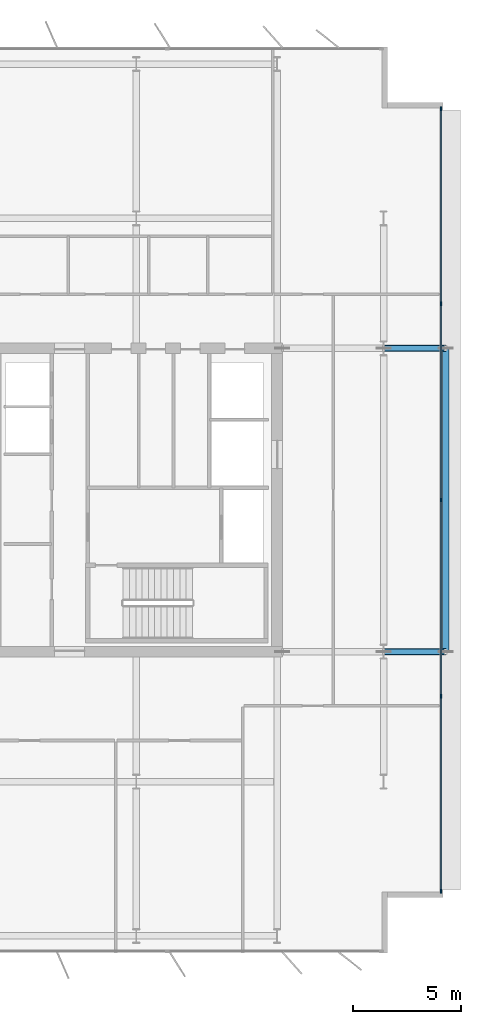
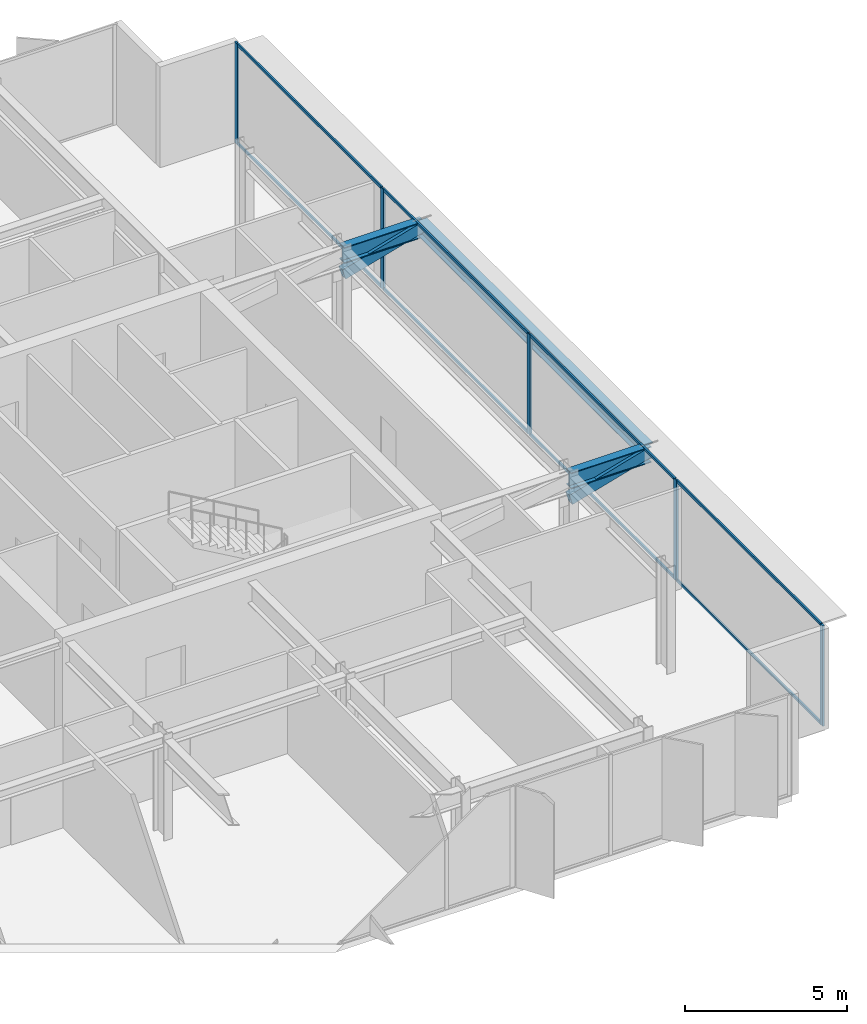
# One storey, part 10 of 20: 15 members, 3 beams, 1 element without a shape of its own.
"""IFC4 building model written with IfcOpenShell, lengths in metres."""

from ifc_helpers import new_model, si_unit, direction, frame, origin, origin_2d, place, context, subcontext, project, spatial, rectangle, hollow_rectangle, i_section, extrude, material, layer, layer_set, material_profile, profile_set, type_object, element, aggregate, save


model = new_model("IFC4")

# Units and contexts
model_context = context("Model", 3, precision=1e-05, world=origin(), true_north=direction((0.0, 1.0)))
body_context = subcontext(model_context, "Body", "Model", "MODEL_VIEW")
ifc_project = project(units=[si_unit("LENGTHUNIT", "METRE"), si_unit("AREAUNIT", "SQUARE_METRE"), si_unit("VOLUMEUNIT", "CUBIC_METRE"), si_unit("PLANEANGLEUNIT", "RADIAN"), si_unit("MASSUNIT", "GRAM", prefix="KILO")], contexts=[model_context])

# Site, building, storey
site_placement = place(None, origin())
site = spatial("IfcSite", under=ifc_project, at=site_placement, CompositionType="ELEMENT")
building_placement = place(site_placement, origin())
building = spatial("IfcBuilding", under=site, at=building_placement, Name="Putna Gate Headquarters", CompositionType="ELEMENT")
storey_placement = place(building_placement, frame((0.0, 0.0, 282.39990234375)))
storey = spatial("IfcBuildingStorey", under=building, at=storey_placement, Name="L71", CompositionType="ELEMENT", Elevation=282.39990234375)

# Beams
ifc_material_1 = material(Name="Steel S355J2", Category="steel")
ifc_material_profile_1 = material_profile(ifc_material_1, i_section(OverallWidth=0.300048828125, OverallDepth=0.60009765625, WebThickness=0.015380859375, FlangeThickness=0.030029296875, at=origin_2d()), Name="Steel S355J2")
ifc_profile_set_1 = profile_set([ifc_material_profile_1], Name="Steel S355J2")
beam_type_1 = type_object("IfcBeamType", Name="BM-GIRD-SAIL-HEB600", PredefinedType="USERDEFINED", material=ifc_profile_set_1)
for number, where, z_axis, x_axis, name in (
    (1, (69.926025390625, 19.0, 3.488037109375), (1.0, 0.0, 0.0), (0.0, 1.0, 0.0), "L71 East Sail Outrigger Bracket Y19"),
    (2, (69.926025390625, 33.0, 3.488037109375), (1.0, 0.0, 0.0), (0.0, 1.0, 0.0), "L71 East Sail Outrigger Bracket Y33"),
):
    element("IfcBeam", number, at=place(storey_placement, frame(where, z_axis=z_axis, x_axis=x_axis)), inside=storey, type_object=beam_type_1, Name=name, ObjectType="GIRDER", PredefinedType="USERDEFINED", context=body_context, shape_type="SweptSolid", body=[
        extrude(i_section(OverallWidth=0.300048828125, OverallDepth=0.60009765625, WebThickness=0.015380859375, FlangeThickness=0.030029296875, at=origin_2d()), origin(), (0.0, 0.0, 1.0), 2.859130859375),
    ])
ifc_material_profile_2 = material_profile(ifc_material_1, i_section(OverallWidth=0.300048828125, OverallDepth=0.590087890625, WebThickness=0.012939453125, FlangeThickness=0.02490234375, at=origin_2d()), Name="Steel S355J2")
ifc_profile_set_2 = profile_set([ifc_material_profile_2], Name="Steel S355J2")
beam_type_2 = type_object("IfcBeamType", Name="BM-SPAN-Z4-HEA600", PredefinedType="SPANDREL", material=ifc_profile_set_2)
beam_placement = place(storey_placement, frame((72.78515625, 19.02001953125, 3.4931640625), z_axis=(0.0, 1.0, 0.0), x_axis=(-1.0, 0.0, 0.0)))
element("IfcBeam", 3, at=beam_placement, inside=storey, type_object=beam_type_2, Name="L71 East Sail Edge Spandrel", PredefinedType="SPANDREL", context=body_context, shape_type="SweptSolid", body=[
    extrude(i_section(OverallWidth=0.300048828125, OverallDepth=0.590087890625, WebThickness=0.012939453125, FlangeThickness=0.02490234375, at=origin_2d()), origin(), (0.0, 0.0, 1.0), 13.9599609375),
])

# Members
ifc_material_2 = material(Name="Steel S460M", Category="steel")
ifc_material_profile_3 = material_profile(ifc_material_2, hollow_rectangle(XDim=0.25, YDim=0.39990234375, WallThickness=0.01611328125, at=origin_2d()), Name="Steel S460M")
ifc_profile_set_3 = profile_set([ifc_material_profile_3], Name="Steel S460M")
member_type_1 = type_object("IfcMemberType", Name="MEM-SAIL-BRACE-RHS400", PredefinedType="BRACE", material=ifc_profile_set_3)
for number, where, z_axis, x_axis, name in (
    (4, (69.934326171875, 19.0, 2.755615234375), (0.961457993667, 0.0, 0.274951861994), (0.0, 1.0, 0.0), "L71 East Sail Cantilever Raker Y19"),
    (5, (69.934326171875, 33.0, 2.755615234375), (0.961457993667, 0.0, 0.274951861994), (0.0, 1.0, 0.0), "L71 East Sail Cantilever Raker Y33"),
):
    element("IfcMember", number, at=place(storey_placement, frame(where, z_axis=z_axis, x_axis=x_axis)), inside=storey, type_object=member_type_1, Name=name, PredefinedType="BRACE", context=body_context, shape_type="SweptSolid", body=[
        extrude(hollow_rectangle(XDim=0.25, YDim=0.39990234375, WallThickness=0.01611328125, at=origin_2d()), origin(), (0.0, 0.0, 1.0), 2.9345703125),
    ])

# Curtain wall, members
ifc_material_3 = material(Name="Anodised bronze aluminium curtain wall", Category="aluminium")
ifc_layer = layer(ifc_material_3, 0.179931640625)
ifc_layer_set = layer_set([ifc_layer], Name="Anodised bronze aluminium curtain wall")
curtain_wall_type = type_object("IfcCurtainWallType", Name="CW-SYS-Z5", PredefinedType="USERDEFINED", material=ifc_layer_set)
curtain_wall_placement = place(storey_placement, origin())
curtain_wall = element("IfcCurtainWall", 6, at=curtain_wall_placement, inside=storey, type_object=curtain_wall_type, Name="L71 East Curtain Wall", ObjectType="STICK CURTAIN WALL", PredefinedType="USERDEFINED")
ifc_material_4 = material(Name="Anodised bronze aluminium EN AW-6060", Category="aluminium")
ifc_material_profile_4 = material_profile(ifc_material_4, rectangle(XDim=0.070068359375, YDim=0.179931640625, at=origin_2d()), Name="Anodised bronze aluminium EN AW-6060")
ifc_profile_set_4 = profile_set([ifc_material_profile_4], Name="Anodised bronze aluminium EN AW-6060")
member_type_2 = type_object("IfcMemberType", Name="MULL-CWM-5", PredefinedType="MULLION", material=ifc_profile_set_4)
member_1_placement = place(storey_placement, frame((72.56884765625, 7.93505859375, 0.0), z_axis=(0.0, 0.0, 1.0), x_axis=(-1.0, 0.0, 0.0)))
member_1 = element("IfcMember", 7, at=member_1_placement, type_object=member_type_2, Name="CWS-5 mullion 1", PredefinedType="MULLION", context=body_context, shape_type="SweptSolid", body=[
    extrude(rectangle(XDim=0.070068359375, YDim=0.179931640625, at=origin_2d()), origin(), (0.0, 0.0, 1.0), 3.7880859375),
])
member_2_placement = place(storey_placement, frame((72.56884765625, 16.949951171875, 0.0), z_axis=(0.0, 0.0, 1.0), x_axis=(-1.0, 0.0, 0.0)))
member_2 = element("IfcMember", 8, at=member_2_placement, type_object=member_type_2, Name="CWS-5 mullion 2", PredefinedType="MULLION", context=body_context, shape_type="SweptSolid", body=[
    extrude(rectangle(XDim=0.070068359375, YDim=0.179931640625, at=origin_2d()), origin(), (0.0, 0.0, 1.0), 3.7880859375),
])
member_3_placement = place(storey_placement, frame((72.56884765625, 26.0, 0.0), z_axis=(0.0, 0.0, 1.0), x_axis=(-1.0, 0.0, 0.0)))
member_3 = element("IfcMember", 9, at=member_3_placement, type_object=member_type_2, Name="CWS-5 mullion 3", PredefinedType="MULLION", context=body_context, shape_type="SweptSolid", body=[
    extrude(rectangle(XDim=0.070068359375, YDim=0.179931640625, at=origin_2d()), origin(), (0.0, 0.0, 1.0), 3.7880859375),
])
member_4_placement = place(storey_placement, frame((72.56884765625, 35.050048828125, 0.0), z_axis=(0.0, 0.0, 1.0), x_axis=(-1.0, 0.0, 0.0)))
member_4 = element("IfcMember", 10, at=member_4_placement, type_object=member_type_2, Name="CWS-5 mullion 4", PredefinedType="MULLION", context=body_context, shape_type="SweptSolid", body=[
    extrude(rectangle(XDim=0.070068359375, YDim=0.179931640625, at=origin_2d()), origin(), (0.0, 0.0, 1.0), 3.7880859375),
])
member_5_placement = place(storey_placement, frame((72.56884765625, 44.06494140625, 0.0), z_axis=(0.0, 0.0, 1.0), x_axis=(-1.0, 0.0, 0.0)))
member_5 = element("IfcMember", 11, at=member_5_placement, type_object=member_type_2, Name="CWS-5 mullion 5", PredefinedType="MULLION", context=body_context, shape_type="SweptSolid", body=[
    extrude(rectangle(XDim=0.070068359375, YDim=0.179931640625, at=origin_2d()), origin(), (0.0, 0.0, 1.0), 3.7880859375),
])
ifc_material_profile_5 = material_profile(ifc_material_4, rectangle(XDim=0.06005859375, YDim=0.10009765625, at=origin_2d()), Name="Anodised bronze aluminium EN AW-6060")
ifc_profile_set_5 = profile_set([ifc_material_profile_5], Name="Anodised bronze aluminium EN AW-6060")
member_type_3 = type_object("IfcMemberType", Name="TRAN-CWT-5", PredefinedType="USERDEFINED", material=ifc_profile_set_5)
member_6_placement = place(storey_placement, frame((72.56884765625, 7.969970703125, 0.030029296875), z_axis=(0.0, 1.0, 0.0), x_axis=(-1.0, 0.0, 0.0)))
member_6 = element("IfcMember", 12, at=member_6_placement, type_object=member_type_3, Name="CWS-5 transom 1.1", ObjectType="TRANSOM", PredefinedType="USERDEFINED", context=body_context, shape_type="SweptSolid", body=[
    extrude(rectangle(XDim=0.06005859375, YDim=0.10009765625, at=origin_2d()), origin(), (0.0, 0.0, 1.0), 8.945068359375),
])
member_7_placement = place(storey_placement, frame((72.56884765625, 7.969970703125, 3.758056640625), z_axis=(0.0, 1.0, 0.0), x_axis=(-1.0, 0.0, 0.0)))
member_7 = element("IfcMember", 13, at=member_7_placement, type_object=member_type_3, Name="CWS-5 transom 1.2", ObjectType="TRANSOM", PredefinedType="USERDEFINED", context=body_context, shape_type="SweptSolid", body=[
    extrude(rectangle(XDim=0.06005859375, YDim=0.10009765625, at=origin_2d()), origin(), (0.0, 0.0, 1.0), 8.945068359375),
])
member_8_placement = place(storey_placement, frame((72.56884765625, 16.985107421875, 0.030029296875), z_axis=(0.0, 1.0, 0.0), x_axis=(-1.0, 0.0, 0.0)))
member_8 = element("IfcMember", 14, at=member_8_placement, type_object=member_type_3, Name="CWS-5 transom 2.1", ObjectType="TRANSOM", PredefinedType="USERDEFINED", context=body_context, shape_type="SweptSolid", body=[
    extrude(rectangle(XDim=0.06005859375, YDim=0.10009765625, at=origin_2d()), origin(), (0.0, 0.0, 1.0), 8.97998046875),
])
member_9_placement = place(storey_placement, frame((72.56884765625, 16.985107421875, 3.758056640625), z_axis=(0.0, 1.0, 0.0), x_axis=(-1.0, 0.0, 0.0)))
member_9 = element("IfcMember", 15, at=member_9_placement, type_object=member_type_3, Name="CWS-5 transom 2.2", ObjectType="TRANSOM", PredefinedType="USERDEFINED", context=body_context, shape_type="SweptSolid", body=[
    extrude(rectangle(XDim=0.06005859375, YDim=0.10009765625, at=origin_2d()), origin(), (0.0, 0.0, 1.0), 8.97998046875),
])
member_10_placement = place(storey_placement, frame((72.56884765625, 26.034912109375, 0.030029296875), z_axis=(0.0, 1.0, 0.0), x_axis=(-1.0, 0.0, 0.0)))
member_10 = element("IfcMember", 16, at=member_10_placement, type_object=member_type_3, Name="CWS-5 transom 3.1", ObjectType="TRANSOM", PredefinedType="USERDEFINED", context=body_context, shape_type="SweptSolid", body=[
    extrude(rectangle(XDim=0.06005859375, YDim=0.10009765625, at=origin_2d()), origin(), (0.0, 0.0, 1.0), 8.97998046875),
])
member_11_placement = place(storey_placement, frame((72.56884765625, 26.034912109375, 3.758056640625), z_axis=(0.0, 1.0, 0.0), x_axis=(-1.0, 0.0, 0.0)))
member_11 = element("IfcMember", 17, at=member_11_placement, type_object=member_type_3, Name="CWS-5 transom 3.2", ObjectType="TRANSOM", PredefinedType="USERDEFINED", context=body_context, shape_type="SweptSolid", body=[
    extrude(rectangle(XDim=0.06005859375, YDim=0.10009765625, at=origin_2d()), origin(), (0.0, 0.0, 1.0), 8.97998046875),
])
member_12_placement = place(storey_placement, frame((72.56884765625, 35.0849609375, 0.030029296875), z_axis=(0.0, 1.0, 0.0), x_axis=(-1.0, 0.0, 0.0)))
member_12 = element("IfcMember", 18, at=member_12_placement, type_object=member_type_3, Name="CWS-5 transom 4.1", ObjectType="TRANSOM", PredefinedType="USERDEFINED", context=body_context, shape_type="SweptSolid", body=[
    extrude(rectangle(XDim=0.06005859375, YDim=0.10009765625, at=origin_2d()), origin(), (0.0, 0.0, 1.0), 8.945068359375),
])
member_13_placement = place(storey_placement, frame((72.56884765625, 35.0849609375, 3.758056640625), z_axis=(0.0, 1.0, 0.0), x_axis=(-1.0, 0.0, 0.0)))
member_13 = element("IfcMember", 19, at=member_13_placement, type_object=member_type_3, Name="CWS-5 transom 4.2", ObjectType="TRANSOM", PredefinedType="USERDEFINED", context=body_context, shape_type="SweptSolid", body=[
    extrude(rectangle(XDim=0.06005859375, YDim=0.10009765625, at=origin_2d()), origin(), (0.0, 0.0, 1.0), 8.945068359375),
])
aggregate(curtain_wall, [member_1, member_2, member_3, member_4, member_5, member_6, member_7, member_8, member_9, member_10, member_11, member_12, member_13])

save(model, "model.ifc")
